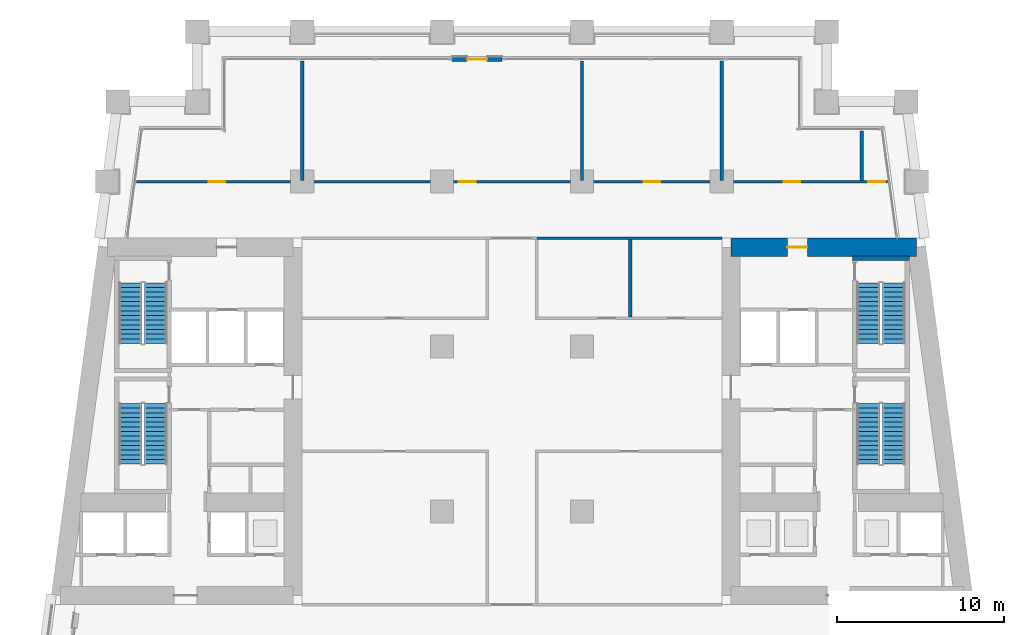
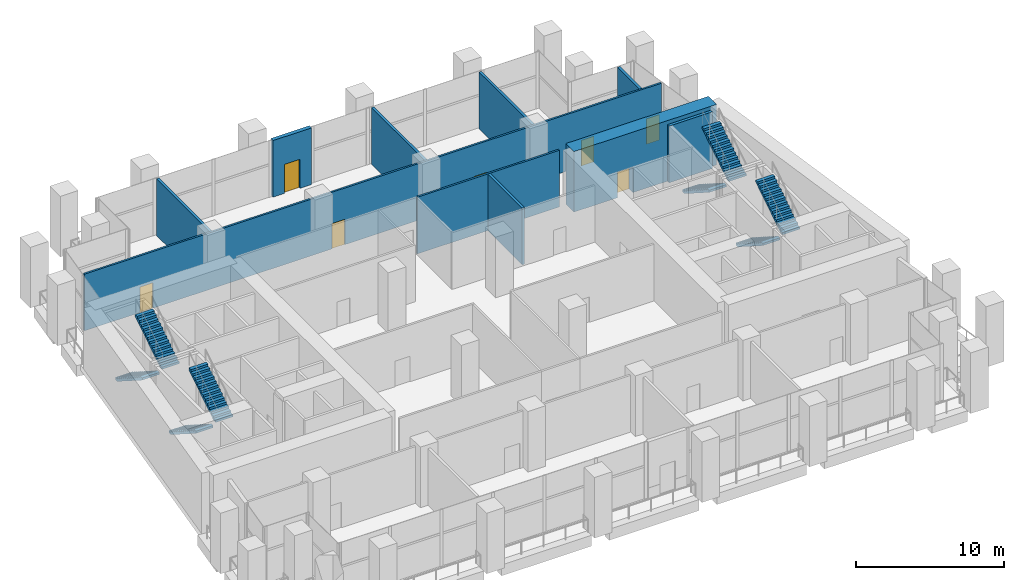
# One storey, part 10 of 15: 10 walls, 8 stair flights, 7 doors, 7 openings, 4 elements without a shape of their own.
"""IFC4 building model written with IfcOpenShell, lengths in metres."""

from ifc_helpers import new_model, si_unit, direction, frame, frame_2d, origin, place, context, subcontext, project, spatial, polyline, rectangle, outline, extrude, material, layer, layer_set, type_object, element, fill, aggregate, save


model = new_model("IFC4")

# Units and contexts
model_context = context("Model", 3, precision=1e-05, world=origin(), true_north=direction((0.0, 1.0)))
body_context = subcontext(model_context, "Body", "Model", "MODEL_VIEW")
ifc_project = project(units=[si_unit("LENGTHUNIT", "METRE"), si_unit("AREAUNIT", "SQUARE_METRE"), si_unit("VOLUMEUNIT", "CUBIC_METRE"), si_unit("PLANEANGLEUNIT", "RADIAN"), si_unit("MASSUNIT", "GRAM", prefix="KILO")], contexts=[model_context])

# Site, building, storey
site_placement = place(None, origin())
site = spatial("IfcSite", under=ifc_project, at=site_placement, CompositionType="ELEMENT")
building_placement = place(site_placement, origin())
building = spatial("IfcBuilding", under=site, at=building_placement, Name="Candeia Pilgrim Tower and Theatre", CompositionType="ELEMENT")
storey_placement = place(building_placement, frame((0.0, 0.0, 86.0)))
storey = spatial("IfcBuildingStorey", under=building, at=storey_placement, Name="L19", CompositionType="ELEMENT", Elevation=86.0)

# Wall, opening, door
ifc_material_1 = material(Name="Concrete C80/95", Category="concrete")
ifc_layer_1 = layer(ifc_material_1, 1.10009765625)
ifc_layer_set_1 = layer_set([ifc_layer_1], Name="Core wall 1100 C80/95")
wall_type_1 = type_object("IfcWallType", Name="Core wall 1100 C80/95", PredefinedType="SHEAR", material=ifc_layer_set_1)
wall_1_placement = place(storey_placement, frame((126.550048828125, 131.85009765625, 0.0), z_axis=(0.0, 0.0, 1.0), x_axis=(1.0, 0.0, 0.0)))
wall_1 = element("IfcWall", 1, at=wall_1_placement, inside=storey, type_object=wall_type_1, Name="Core wall E1", PredefinedType="SHEAR", context=body_context, shape_type="SweptSolid", body=[
    extrude(rectangle(XDim=11.13818359375, YDim=1.10009765625, at=frame_2d((5.569091796875, 0.0))), origin(), (0.0, 0.0, 1.0), 5.0),
])
opening_1_placement = place(wall_1_placement, frame((3.386474609375, 0.0, 0.0)))
opening_1 = element("IfcOpeningElement", 2, at=opening_1_placement, cuts=wall_1, Name="Opening L19-D031", PredefinedType="OPENING", context=body_context, shape_type="SweptSolid", body=[
    extrude(rectangle(XDim=1.199951171875, YDim=2.10009765625, at=frame_2d((0.60009765625, 1.050048828125))), frame((0.0, 0.56005859375, 0.0), z_axis=(0.0, -1.0, 0.0), x_axis=(1.0, 0.0, 0.0)), (0.0, 0.0, 1.0), 1.1201171875),
])
ifc_material_2 = material(Name="Steel fire door set", Category="steel")
door_type_1 = type_object("IfcDoorType", Name="D-1200-FD60", OperationType="NOTDEFINED", PredefinedType="DOOR", material=ifc_material_2)
door_1_placement = place(opening_1_placement, origin())
door_1 = element("IfcDoor", 3, at=door_1_placement, inside=storey, type_object=door_type_1, Name="Door L19-D031", OperationType="SINGLE_SWING_RIGHT", OverallHeight=2.10009765625, OverallWidth=1.199951171875, PredefinedType="DOOR", context=body_context, shape_type="SweptSolid", body=[
    extrude(rectangle(XDim=1.199951171875, YDim=2.10009765625, at=frame_2d((0.60009765625, 1.050048828125))), frame((0.0, 0.02490234375, 0.0), z_axis=(0.0, -1.0, 0.0), x_axis=(1.0, 0.0, 0.0)), (0.0, 0.0, 1.0), 0.050048828125),
])
fill(opening_1, door_1)

ifc_material_3 = material(Name="Ceramic block masonry", Category="masonry")
ifc_layer_2 = layer(ifc_material_3, 0.300048828125)
ifc_layer_set_2 = layer_set([ifc_layer_2], Name="EW2 entrance infill wall 300")
wall_type_2 = type_object("IfcWallType", Name="EW2 entrance infill wall 300", PredefinedType="SOLIDWALL", material=ifc_layer_set_2)
wall_2_placement = place(storey_placement, frame((112.800048828125, 143.14990234375, 0.0), z_axis=(0.0, 0.0, 1.0), x_axis=(-1.0, 0.0, 0.0)))
wall_2 = element("IfcWall", 4, at=wall_2_placement, inside=storey, type_object=wall_type_2, Name="Infill wall L19", PredefinedType="SOLIDWALL", context=body_context, shape_type="SweptSolid", body=[
    extrude(rectangle(XDim=3.0, YDim=0.300048828125, at=frame_2d((1.5, 0.0))), origin(), (0.0, 0.0, 1.0), 4.679931640625),
])
opening_2_placement = place(wall_2_placement, frame((0.89990234375, 0.0, 0.0)))
opening_2 = element("IfcOpeningElement", 5, at=opening_2_placement, cuts=wall_2, Name="Opening L19-ED203", PredefinedType="OPENING", context=body_context, shape_type="SweptSolid", body=[
    extrude(rectangle(XDim=1.199951171875, YDim=2.39990234375, at=frame_2d((0.60009765625, 1.199951171875))), frame((0.0, 0.16015625, 0.0), z_axis=(0.0, -1.0, 0.0), x_axis=(1.0, 0.0, 0.0)), (0.0, 0.0, 1.0), 0.320068359375),
])
ifc_material_4 = material(Name="Aluminium framed glazed door", Category="aluminium")
door_type_2 = type_object("IfcDoorType", Name="Loggia door 1200x2400", OperationType="DOUBLE_DOOR_SINGLE_SWING", PredefinedType="DOOR", material=ifc_material_4)
door_2_placement = place(opening_2_placement, origin())
door_2 = element("IfcDoor", 6, at=door_2_placement, inside=storey, type_object=door_type_2, Name="Loggia door L19-ED203", OperationType="DOUBLE_DOOR_SINGLE_SWING", OverallHeight=2.39990234375, OverallWidth=1.199951171875, PredefinedType="DOOR", context=body_context, shape_type="SweptSolid", body=[
    extrude(rectangle(XDim=1.199951171875, YDim=2.39990234375, at=frame_2d((0.60009765625, 1.199951171875))), frame((0.0, 0.02490234375, 0.0), z_axis=(0.0, -1.0, 0.0), x_axis=(1.0, 0.0, 0.0)), (0.0, 0.0, 1.0), 0.050048828125),
])
fill(opening_2, door_2)

# Wall
ifc_material_5 = material(Name="Gypsum board partition on steel studs", Category="steel")
ifc_layer_3 = layer(ifc_material_5, 0.14990234375)
ifc_layer_set_3 = layer_set([ifc_layer_3], Name="PW-150 unit wall")
wall_type_3 = type_object("IfcWallType", Name="PW-150 unit wall", PredefinedType="PARTITIONING", material=ifc_layer_set_3)
wall_3_placement = place(storey_placement, frame((114.89990234375, 132.39990234375, 0.0), z_axis=(0.0, 0.0, 1.0), x_axis=(1.0, 0.0, 0.0)))
element("IfcWall", 7, at=wall_3_placement, inside=storey, type_object=wall_type_3, Name="Unit wall L19-035", PredefinedType="PARTITIONING", context=body_context, shape_type="SweptSolid", body=[
    extrude(rectangle(XDim=11.10009765625, YDim=0.14990234375, at=frame_2d((5.550048828125, 0.0))), origin(), (0.0, 0.0, 1.0), 4.679931640625),
])

# Wall, openings, doors
wall_4_placement = place(storey_placement, frame((90.8642578125, 135.800048828125, 0.0), z_axis=(0.0, 0.0, 1.0), x_axis=(1.0, 0.0, 0.0)))
wall_4 = element("IfcWall", 8, at=wall_4_placement, inside=storey, type_object=wall_type_3, Name="Unit wall L19-036", PredefinedType="PARTITIONING", context=body_context, shape_type="SweptSolid", body=[
    extrude(rectangle(XDim=45.071533203125, YDim=0.14990234375, at=frame_2d((22.53564453125, 0.0))), origin(), (0.0, 0.0, 1.0), 4.679931640625),
])
opening_3_placement = place(wall_4_placement, frame((4.336669921875, 0.0, 0.0)))
opening_3 = element("IfcOpeningElement", 9, at=opening_3_placement, cuts=wall_4, Name="Opening L19-D012", PredefinedType="OPENING", context=body_context, shape_type="SweptSolid", body=[
    extrude(rectangle(XDim=1.0, YDim=2.10009765625, at=frame_2d((0.5, 1.050048828125))), frame((0.0, 0.0849609375, 0.0), z_axis=(0.0, -1.0, 0.0), x_axis=(1.0, 0.0, 0.0)), (0.0, 0.0, 1.0), 0.169921875),
])
opening_4_placement = place(wall_4_placement, frame((19.345703125, 0.0, 0.0)))
opening_4 = element("IfcOpeningElement", 10, at=opening_4_placement, cuts=wall_4, Name="Opening L19-D013", PredefinedType="OPENING", context=body_context, shape_type="SweptSolid", body=[
    extrude(rectangle(XDim=1.0, YDim=2.10009765625, at=frame_2d((0.5, 1.050048828125))), frame((0.0, 0.0849609375, 0.0), z_axis=(0.0, -1.0, 0.0), x_axis=(1.0, 0.0, 0.0)), (0.0, 0.0, 1.0), 0.169921875),
])
opening_5_placement = place(wall_4_placement, frame((30.435791015625, 0.0, 0.0)))
opening_5 = element("IfcOpeningElement", 11, at=opening_5_placement, cuts=wall_4, Name="Opening L19-D014", PredefinedType="OPENING", context=body_context, shape_type="SweptSolid", body=[
    extrude(rectangle(XDim=1.0, YDim=2.10009765625, at=frame_2d((0.5, 1.050048828125))), frame((0.0, 0.0849609375, 0.0), z_axis=(0.0, -1.0, 0.0), x_axis=(1.0, 0.0, 0.0)), (0.0, 0.0, 1.0), 0.169921875),
])
opening_6_placement = place(wall_4_placement, frame((38.835693359375, 0.0, 0.0)))
opening_6 = element("IfcOpeningElement", 12, at=opening_6_placement, cuts=wall_4, Name="Opening L19-D015", PredefinedType="OPENING", context=body_context, shape_type="SweptSolid", body=[
    extrude(rectangle(XDim=1.0, YDim=2.10009765625, at=frame_2d((0.5, 1.050048828125))), frame((0.0, 0.0849609375, 0.0), z_axis=(0.0, -1.0, 0.0), x_axis=(1.0, 0.0, 0.0)), (0.0, 0.0, 1.0), 0.169921875),
])
opening_7_placement = place(wall_4_placement, frame((43.934814453125, 0.0, 0.0)))
opening_7 = element("IfcOpeningElement", 13, at=opening_7_placement, cuts=wall_4, Name="Opening L19-D016", PredefinedType="OPENING", context=body_context, shape_type="SweptSolid", body=[
    extrude(rectangle(XDim=1.0, YDim=2.10009765625, at=frame_2d((0.5, 1.050048828125))), frame((0.0, 0.0849609375, 0.0), z_axis=(0.0, -1.0, 0.0), x_axis=(1.0, 0.0, 0.0)), (0.0, 0.0, 1.0), 0.169921875),
])
door_type_3 = type_object("IfcDoorType", Name="D-1000-FD30S", OperationType="NOTDEFINED", PredefinedType="DOOR", material=ifc_material_2)
door_3_placement = place(opening_3_placement, origin())
door_3 = element("IfcDoor", 14, at=door_3_placement, inside=storey, type_object=door_type_3, Name="Door L19-D012", OperationType="SINGLE_SWING_LEFT", OverallHeight=2.10009765625, OverallWidth=1.0, PredefinedType="DOOR", context=body_context, shape_type="SweptSolid", body=[
    extrude(rectangle(XDim=1.0, YDim=2.10009765625, at=frame_2d((0.5, 1.050048828125))), frame((0.0, 0.02490234375, 0.0), z_axis=(0.0, -1.0, 0.0), x_axis=(1.0, 0.0, 0.0)), (0.0, 0.0, 1.0), 0.050048828125),
])
fill(opening_3, door_3)
door_4_placement = place(opening_4_placement, origin())
door_4 = element("IfcDoor", 15, at=door_4_placement, inside=storey, type_object=door_type_3, Name="Door L19-D013", OperationType="SINGLE_SWING_RIGHT", OverallHeight=2.10009765625, OverallWidth=1.0, PredefinedType="DOOR", context=body_context, shape_type="SweptSolid", body=[
    extrude(rectangle(XDim=1.0, YDim=2.10009765625, at=frame_2d((0.5, 1.050048828125))), frame((0.0, 0.02490234375, 0.0), z_axis=(0.0, -1.0, 0.0), x_axis=(1.0, 0.0, 0.0)), (0.0, 0.0, 1.0), 0.050048828125),
])
fill(opening_4, door_4)
door_5_placement = place(opening_5_placement, origin())
door_5 = element("IfcDoor", 16, at=door_5_placement, inside=storey, type_object=door_type_3, Name="Door L19-D014", OperationType="SINGLE_SWING_LEFT", OverallHeight=2.10009765625, OverallWidth=1.0, PredefinedType="DOOR", context=body_context, shape_type="SweptSolid", body=[
    extrude(rectangle(XDim=1.0, YDim=2.10009765625, at=frame_2d((0.5, 1.050048828125))), frame((0.0, 0.02490234375, 0.0), z_axis=(0.0, -1.0, 0.0), x_axis=(1.0, 0.0, 0.0)), (0.0, 0.0, 1.0), 0.050048828125),
])
fill(opening_5, door_5)
door_6_placement = place(opening_6_placement, origin())
door_6 = element("IfcDoor", 17, at=door_6_placement, inside=storey, type_object=door_type_3, Name="Door L19-D015", OperationType="SINGLE_SWING_RIGHT", OverallHeight=2.10009765625, OverallWidth=1.0, PredefinedType="DOOR", context=body_context, shape_type="SweptSolid", body=[
    extrude(rectangle(XDim=1.0, YDim=2.10009765625, at=frame_2d((0.5, 1.050048828125))), frame((0.0, 0.02490234375, 0.0), z_axis=(0.0, -1.0, 0.0), x_axis=(1.0, 0.0, 0.0)), (0.0, 0.0, 1.0), 0.050048828125),
])
fill(opening_6, door_6)
door_7_placement = place(opening_7_placement, origin())
door_7 = element("IfcDoor", 18, at=door_7_placement, inside=storey, type_object=door_type_3, Name="Door L19-D016", OperationType="SINGLE_SWING_LEFT", OverallHeight=2.10009765625, OverallWidth=1.0, PredefinedType="DOOR", context=body_context, shape_type="SweptSolid", body=[
    extrude(rectangle(XDim=1.0, YDim=2.10009765625, at=frame_2d((0.5, 1.050048828125))), frame((0.0, 0.02490234375, 0.0), z_axis=(0.0, -1.0, 0.0), x_axis=(1.0, 0.0, 0.0)), (0.0, 0.0, 1.0), 0.050048828125),
])
fill(opening_7, door_7)

# Walls
ifc_layer_4 = layer(ifc_material_5, 0.199951171875)
ifc_layer_set_4 = layer_set([ifc_layer_4], Name="PW-200 party wall")
wall_type_4 = type_object("IfcWallType", Name="PW-200 party wall", PredefinedType="PARTITIONING", material=ifc_layer_set_4)
for number, where, z_axis, x_axis, name in (
    (19, (100.800048828125, 135.875, 0.0), (0.0, 0.0, 1.0), (0.0, 1.0, 0.0), "Party wall L19-055"),
    (20, (117.60009765625, 135.875, 0.0), (0.0, 0.0, 1.0), (0.0, 1.0, 0.0), "Party wall L19-061"),
):
    element("IfcWall", number, at=place(storey_placement, frame(where, z_axis=z_axis, x_axis=x_axis)), inside=storey, type_object=wall_type_4, Name=name, PredefinedType="PARTITIONING", context=body_context, shape_type="SweptSolid", body=[
        extrude(rectangle(XDim=7.1650390625, YDim=0.199951171875, at=frame_2d((3.58251953125, 0.0))), origin(), (0.0, 0.0, 1.0), 4.679931640625),
    ])
wall_5_placement = place(storey_placement, frame((120.5, 127.675048828125, 0.0), z_axis=(0.0, 0.0, 1.0), x_axis=(0.0, 1.0, 0.0)))
element("IfcWall", 21, at=wall_5_placement, inside=storey, type_object=wall_type_4, Name="Party wall L19-062", PredefinedType="PARTITIONING", context=body_context, shape_type="SweptSolid", body=[
    extrude(rectangle(XDim=4.64990234375, YDim=0.199951171875, at=frame_2d((2.324951171875, 0.0))), origin(), (0.0, 0.0, 1.0), 4.679931640625),
])
wall_6_placement = place(storey_placement, frame((126.0, 135.875, 0.0), z_axis=(0.0, 0.0, 1.0), x_axis=(0.0, 1.0, 0.0)))
element("IfcWall", 22, at=wall_6_placement, inside=storey, type_object=wall_type_4, Name="Party wall L19-064", PredefinedType="PARTITIONING", context=body_context, shape_type="SweptSolid", body=[
    extrude(rectangle(XDim=7.1650390625, YDim=0.199951171875, at=frame_2d((3.58251953125, 0.0))), origin(), (0.0, 0.0, 1.0), 4.679931640625),
])
wall_7_placement = place(storey_placement, frame((134.39990234375, 135.875, 0.0), z_axis=(0.0, 0.0, 1.0), x_axis=(0.0, 1.0, 0.0)))
element("IfcWall", 23, at=wall_7_placement, inside=storey, type_object=wall_type_4, Name="Party wall L19-077", PredefinedType="PARTITIONING", context=body_context, shape_type="SweptSolid", body=[
    extrude(rectangle(XDim=2.965087890625, YDim=0.199951171875, at=frame_2d((1.482421875, 0.0))), origin(), (0.0, 0.0, 1.0), 4.679931640625),
])
ifc_material_6 = material(Name="Concrete C40/50", Category="concrete")
ifc_layer_5 = layer(ifc_material_6, 0.25)
ifc_layer_set_5 = layer_set([ifc_layer_5], Name="SW-250 stair wall")
wall_type_5 = type_object("IfcWallType", Name="SW-250 stair wall", PredefinedType="PARTITIONING", material=ifc_layer_set_5)
wall_8_placement = place(storey_placement, frame((133.847900390625, 131.199951171875, 0.0), z_axis=(0.0, 0.0, 1.0), x_axis=(1.0, 0.0, 0.0)))
element("IfcWall", 24, at=wall_8_placement, inside=storey, type_object=wall_type_5, Name="Stair wall L19-032", PredefinedType="PARTITIONING", context=body_context, shape_type="SweptSolid", body=[
    extrude(rectangle(XDim=3.400146484375, YDim=0.25, at=frame_2d((1.7001953125, 0.0))), origin(), (0.0, 0.0, 1.0), 4.679931640625),
])

# Stair, stair flights
stair_type = type_object("IfcStairType", Name="ST-TWR dog-leg escape stair", PredefinedType="HALF_TURN_STAIR", material=ifc_material_6)
stair_1_placement = place(storey_placement, origin())
stair_1 = element("IfcStair", 25, at=stair_1_placement, inside=storey, type_object=stair_type, Name="L19 Escape stair ST1", PredefinedType="HALF_TURN_STAIR")
stair_flight_type = type_object("IfcStairFlightType", Name="SFL-RC stair flight", PredefinedType="STRAIGHT", material=ifc_material_6)
stair_flight_1_placement = place(storey_placement, frame((90.47705078125, 122.47509765625, 0.0), z_axis=(0.0, 0.0, 1.0), x_axis=(0.0, -1.0, 0.0)))
stair_flight_1 = element("IfcStairFlight", 26, at=stair_flight_1_placement, type_object=stair_flight_type, Name="ST1 flight 1", NumberOfRisers=14, NumberOfTreads=13, PredefinedType="STRAIGHT", RiserHeight=0.178571429, TreadLength=0.28, context=body_context, shape_type="SweptSolid", body=[
    extrude(outline(polyline([(0.0, 0.0), (0.0, 0.178466796875), (0.280029296875, 0.178466796875), (0.280029296875, 0.357177734375), (0.56005859375, 0.357177734375), (0.56005859375, 0.53564453125), (0.840087890625, 0.53564453125), (0.840087890625, 0.71435546875), (1.1201171875, 0.71435546875), (1.1201171875, 0.892822265625), (1.39990234375, 0.892822265625), (1.39990234375, 1.071533203125), (1.679931640625, 1.071533203125), (1.679931640625, 1.25), (1.9599609375, 1.25), (1.9599609375, 1.428466796875), (2.239990234375, 1.428466796875), (2.239990234375, 1.607177734375), (2.52001953125, 1.607177734375), (2.52001953125, 1.78564453125), (2.800048828125, 1.78564453125), (2.800048828125, 1.96435546875), (3.080078125, 1.96435546875), (3.080078125, 2.142822265625), (3.360107421875, 2.142822265625), (3.360107421875, 2.321533203125), (3.639892578125, 2.321533203125), (3.639892578125, 2.5), (3.639892578125, 2.1435546875), (0.27880859375, 0.0), (0.0, 0.0)])), frame((0.0, 0.675048828125, 0.0), z_axis=(0.0, -1.0, 0.0), x_axis=(1.0, 0.0, 0.0)), (0.0, 0.0, 1.0), 1.35009765625),
])
stair_flight_2_placement = place(storey_placement, frame((92.027099609375, 118.8349609375, 2.5), z_axis=(0.0, 0.0, 1.0), x_axis=(0.0, 1.0, 0.0)))
stair_flight_2 = element("IfcStairFlight", 27, at=stair_flight_2_placement, type_object=stair_flight_type, Name="ST1 flight 2", NumberOfRisers=14, NumberOfTreads=13, PredefinedType="STRAIGHT", RiserHeight=0.178571429, TreadLength=0.28, context=body_context, shape_type="SweptSolid", body=[
    extrude(outline(polyline([(0.0, 0.0), (0.0, 0.178466796875), (0.280029296875, 0.178466796875), (0.280029296875, 0.357177734375), (0.56005859375, 0.357177734375), (0.56005859375, 0.53564453125), (0.840087890625, 0.53564453125), (0.840087890625, 0.71435546875), (1.1201171875, 0.71435546875), (1.1201171875, 0.892822265625), (1.39990234375, 0.892822265625), (1.39990234375, 1.071533203125), (1.679931640625, 1.071533203125), (1.679931640625, 1.25), (1.9599609375, 1.25), (1.9599609375, 1.428466796875), (2.239990234375, 1.428466796875), (2.239990234375, 1.607177734375), (2.52001953125, 1.607177734375), (2.52001953125, 1.78564453125), (2.800048828125, 1.78564453125), (2.800048828125, 1.96435546875), (3.080078125, 1.96435546875), (3.080078125, 2.142822265625), (3.360107421875, 2.142822265625), (3.360107421875, 2.321533203125), (3.639892578125, 2.321533203125), (3.639892578125, 2.5), (3.639892578125, 2.1435546875), (0.27880859375, 0.0), (0.0, 0.0)])), frame((0.0, 0.675048828125, 0.0), z_axis=(0.0, -1.0, 0.0), x_axis=(1.0, 0.0, 0.0)), (0.0, 0.0, 1.0), 1.35009765625),
])
aggregate(stair_1, [stair_flight_1, stair_flight_2])

stair_2_placement = place(storey_placement, origin())
stair_2 = element("IfcStair", 28, at=stair_2_placement, inside=storey, type_object=stair_type, Name="L19 Escape stair ST2", PredefinedType="HALF_TURN_STAIR")
stair_flight_3_placement = place(storey_placement, frame((90.47705078125, 129.72509765625, 0.0), z_axis=(0.0, 0.0, 1.0), x_axis=(0.0, -1.0, 0.0)))
stair_flight_3 = element("IfcStairFlight", 29, at=stair_flight_3_placement, type_object=stair_flight_type, Name="ST2 flight 1", NumberOfRisers=14, NumberOfTreads=13, PredefinedType="STRAIGHT", RiserHeight=0.178571429, TreadLength=0.28, context=body_context, shape_type="SweptSolid", body=[
    extrude(outline(polyline([(0.0, 0.0), (0.0, 0.178466796875), (0.280029296875, 0.178466796875), (0.280029296875, 0.357177734375), (0.56005859375, 0.357177734375), (0.56005859375, 0.53564453125), (0.840087890625, 0.53564453125), (0.840087890625, 0.71435546875), (1.1201171875, 0.71435546875), (1.1201171875, 0.892822265625), (1.39990234375, 0.892822265625), (1.39990234375, 1.071533203125), (1.679931640625, 1.071533203125), (1.679931640625, 1.25), (1.9599609375, 1.25), (1.9599609375, 1.428466796875), (2.239990234375, 1.428466796875), (2.239990234375, 1.607177734375), (2.52001953125, 1.607177734375), (2.52001953125, 1.78564453125), (2.800048828125, 1.78564453125), (2.800048828125, 1.96435546875), (3.080078125, 1.96435546875), (3.080078125, 2.142822265625), (3.360107421875, 2.142822265625), (3.360107421875, 2.321533203125), (3.639892578125, 2.321533203125), (3.639892578125, 2.5), (3.639892578125, 2.1435546875), (0.27880859375, 0.0), (0.0, 0.0)])), frame((0.0, 0.675048828125, 0.0), z_axis=(0.0, -1.0, 0.0), x_axis=(1.0, 0.0, 0.0)), (0.0, 0.0, 1.0), 1.35009765625),
])
stair_flight_4_placement = place(storey_placement, frame((92.027099609375, 126.0849609375, 2.5), z_axis=(0.0, 0.0, 1.0), x_axis=(0.0, 1.0, 0.0)))
stair_flight_4 = element("IfcStairFlight", 30, at=stair_flight_4_placement, type_object=stair_flight_type, Name="ST2 flight 2", NumberOfRisers=14, NumberOfTreads=13, PredefinedType="STRAIGHT", RiserHeight=0.178571429, TreadLength=0.28, context=body_context, shape_type="SweptSolid", body=[
    extrude(outline(polyline([(0.0, 0.0), (0.0, 0.178466796875), (0.280029296875, 0.178466796875), (0.280029296875, 0.357177734375), (0.56005859375, 0.357177734375), (0.56005859375, 0.53564453125), (0.840087890625, 0.53564453125), (0.840087890625, 0.71435546875), (1.1201171875, 0.71435546875), (1.1201171875, 0.892822265625), (1.39990234375, 0.892822265625), (1.39990234375, 1.071533203125), (1.679931640625, 1.071533203125), (1.679931640625, 1.25), (1.9599609375, 1.25), (1.9599609375, 1.428466796875), (2.239990234375, 1.428466796875), (2.239990234375, 1.607177734375), (2.52001953125, 1.607177734375), (2.52001953125, 1.78564453125), (2.800048828125, 1.78564453125), (2.800048828125, 1.96435546875), (3.080078125, 1.96435546875), (3.080078125, 2.142822265625), (3.360107421875, 2.142822265625), (3.360107421875, 2.321533203125), (3.639892578125, 2.321533203125), (3.639892578125, 2.5), (3.639892578125, 2.1435546875), (0.27880859375, 0.0), (0.0, 0.0)])), frame((0.0, 0.675048828125, 0.0), z_axis=(0.0, -1.0, 0.0), x_axis=(1.0, 0.0, 0.0)), (0.0, 0.0, 1.0), 1.35009765625),
])
aggregate(stair_2, [stair_flight_3, stair_flight_4])

stair_3_placement = place(storey_placement, origin())
stair_3 = element("IfcStair", 31, at=stair_3_placement, inside=storey, type_object=stair_type, Name="L19 Escape stair ST3", PredefinedType="HALF_TURN_STAIR")
stair_flight_5_placement = place(storey_placement, frame((134.77294921875, 122.47509765625, 0.0), z_axis=(0.0, 0.0, 1.0), x_axis=(0.0, -1.0, 0.0)))
stair_flight_5 = element("IfcStairFlight", 32, at=stair_flight_5_placement, type_object=stair_flight_type, Name="ST3 flight 1", NumberOfRisers=14, NumberOfTreads=13, PredefinedType="STRAIGHT", RiserHeight=0.178571429, TreadLength=0.28, context=body_context, shape_type="SweptSolid", body=[
    extrude(outline(polyline([(0.0, 0.0), (0.0, 0.178466796875), (0.280029296875, 0.178466796875), (0.280029296875, 0.357177734375), (0.56005859375, 0.357177734375), (0.56005859375, 0.53564453125), (0.840087890625, 0.53564453125), (0.840087890625, 0.71435546875), (1.1201171875, 0.71435546875), (1.1201171875, 0.892822265625), (1.39990234375, 0.892822265625), (1.39990234375, 1.071533203125), (1.679931640625, 1.071533203125), (1.679931640625, 1.25), (1.9599609375, 1.25), (1.9599609375, 1.428466796875), (2.239990234375, 1.428466796875), (2.239990234375, 1.607177734375), (2.52001953125, 1.607177734375), (2.52001953125, 1.78564453125), (2.800048828125, 1.78564453125), (2.800048828125, 1.96435546875), (3.080078125, 1.96435546875), (3.080078125, 2.142822265625), (3.360107421875, 2.142822265625), (3.360107421875, 2.321533203125), (3.639892578125, 2.321533203125), (3.639892578125, 2.5), (3.639892578125, 2.1435546875), (0.27880859375, 0.0), (0.0, 0.0)])), frame((0.0, 0.675048828125, 0.0), z_axis=(0.0, -1.0, 0.0), x_axis=(1.0, 0.0, 0.0)), (0.0, 0.0, 1.0), 1.35009765625),
])
stair_flight_6_placement = place(storey_placement, frame((136.322998046875, 118.8349609375, 2.5), z_axis=(0.0, 0.0, 1.0), x_axis=(0.0, 1.0, 0.0)))
stair_flight_6 = element("IfcStairFlight", 33, at=stair_flight_6_placement, type_object=stair_flight_type, Name="ST3 flight 2", NumberOfRisers=14, NumberOfTreads=13, PredefinedType="STRAIGHT", RiserHeight=0.178571429, TreadLength=0.28, context=body_context, shape_type="SweptSolid", body=[
    extrude(outline(polyline([(0.0, 0.0), (0.0, 0.178466796875), (0.280029296875, 0.178466796875), (0.280029296875, 0.357177734375), (0.56005859375, 0.357177734375), (0.56005859375, 0.53564453125), (0.840087890625, 0.53564453125), (0.840087890625, 0.71435546875), (1.1201171875, 0.71435546875), (1.1201171875, 0.892822265625), (1.39990234375, 0.892822265625), (1.39990234375, 1.071533203125), (1.679931640625, 1.071533203125), (1.679931640625, 1.25), (1.9599609375, 1.25), (1.9599609375, 1.428466796875), (2.239990234375, 1.428466796875), (2.239990234375, 1.607177734375), (2.52001953125, 1.607177734375), (2.52001953125, 1.78564453125), (2.800048828125, 1.78564453125), (2.800048828125, 1.96435546875), (3.080078125, 1.96435546875), (3.080078125, 2.142822265625), (3.360107421875, 2.142822265625), (3.360107421875, 2.321533203125), (3.639892578125, 2.321533203125), (3.639892578125, 2.5), (3.639892578125, 2.1435546875), (0.27880859375, 0.0), (0.0, 0.0)])), frame((0.0, 0.675048828125, 0.0), z_axis=(0.0, -1.0, 0.0), x_axis=(1.0, 0.0, 0.0)), (0.0, 0.0, 1.0), 1.35009765625),
])
aggregate(stair_3, [stair_flight_5, stair_flight_6])

stair_4_placement = place(storey_placement, origin())
stair_4 = element("IfcStair", 34, at=stair_4_placement, inside=storey, type_object=stair_type, Name="L19 Escape stair ST4", PredefinedType="HALF_TURN_STAIR")
stair_flight_7_placement = place(storey_placement, frame((134.77294921875, 129.72509765625, 0.0), z_axis=(0.0, 0.0, 1.0), x_axis=(0.0, -1.0, 0.0)))
stair_flight_7 = element("IfcStairFlight", 35, at=stair_flight_7_placement, type_object=stair_flight_type, Name="ST4 flight 1", NumberOfRisers=14, NumberOfTreads=13, PredefinedType="STRAIGHT", RiserHeight=0.178571429, TreadLength=0.28, context=body_context, shape_type="SweptSolid", body=[
    extrude(outline(polyline([(0.0, 0.0), (0.0, 0.178466796875), (0.280029296875, 0.178466796875), (0.280029296875, 0.357177734375), (0.56005859375, 0.357177734375), (0.56005859375, 0.53564453125), (0.840087890625, 0.53564453125), (0.840087890625, 0.71435546875), (1.1201171875, 0.71435546875), (1.1201171875, 0.892822265625), (1.39990234375, 0.892822265625), (1.39990234375, 1.071533203125), (1.679931640625, 1.071533203125), (1.679931640625, 1.25), (1.9599609375, 1.25), (1.9599609375, 1.428466796875), (2.239990234375, 1.428466796875), (2.239990234375, 1.607177734375), (2.52001953125, 1.607177734375), (2.52001953125, 1.78564453125), (2.800048828125, 1.78564453125), (2.800048828125, 1.96435546875), (3.080078125, 1.96435546875), (3.080078125, 2.142822265625), (3.360107421875, 2.142822265625), (3.360107421875, 2.321533203125), (3.639892578125, 2.321533203125), (3.639892578125, 2.5), (3.639892578125, 2.1435546875), (0.27880859375, 0.0), (0.0, 0.0)])), frame((0.0, 0.675048828125, 0.0), z_axis=(0.0, -1.0, 0.0), x_axis=(1.0, 0.0, 0.0)), (0.0, 0.0, 1.0), 1.35009765625),
])
stair_flight_8_placement = place(storey_placement, frame((136.322998046875, 126.0849609375, 2.5), z_axis=(0.0, 0.0, 1.0), x_axis=(0.0, 1.0, 0.0)))
stair_flight_8 = element("IfcStairFlight", 36, at=stair_flight_8_placement, type_object=stair_flight_type, Name="ST4 flight 2", NumberOfRisers=14, NumberOfTreads=13, PredefinedType="STRAIGHT", RiserHeight=0.178571429, TreadLength=0.28, context=body_context, shape_type="SweptSolid", body=[
    extrude(outline(polyline([(0.0, 0.0), (0.0, 0.178466796875), (0.280029296875, 0.178466796875), (0.280029296875, 0.357177734375), (0.56005859375, 0.357177734375), (0.56005859375, 0.53564453125), (0.840087890625, 0.53564453125), (0.840087890625, 0.71435546875), (1.1201171875, 0.71435546875), (1.1201171875, 0.892822265625), (1.39990234375, 0.892822265625), (1.39990234375, 1.071533203125), (1.679931640625, 1.071533203125), (1.679931640625, 1.25), (1.9599609375, 1.25), (1.9599609375, 1.428466796875), (2.239990234375, 1.428466796875), (2.239990234375, 1.607177734375), (2.52001953125, 1.607177734375), (2.52001953125, 1.78564453125), (2.800048828125, 1.78564453125), (2.800048828125, 1.96435546875), (3.080078125, 1.96435546875), (3.080078125, 2.142822265625), (3.360107421875, 2.142822265625), (3.360107421875, 2.321533203125), (3.639892578125, 2.321533203125), (3.639892578125, 2.5), (3.639892578125, 2.1435546875), (0.27880859375, 0.0), (0.0, 0.0)])), frame((0.0, 0.675048828125, 0.0), z_axis=(0.0, -1.0, 0.0), x_axis=(1.0, 0.0, 0.0)), (0.0, 0.0, 1.0), 1.35009765625),
])
aggregate(stair_4, [stair_flight_7, stair_flight_8])

save(model, "model.ifc")
